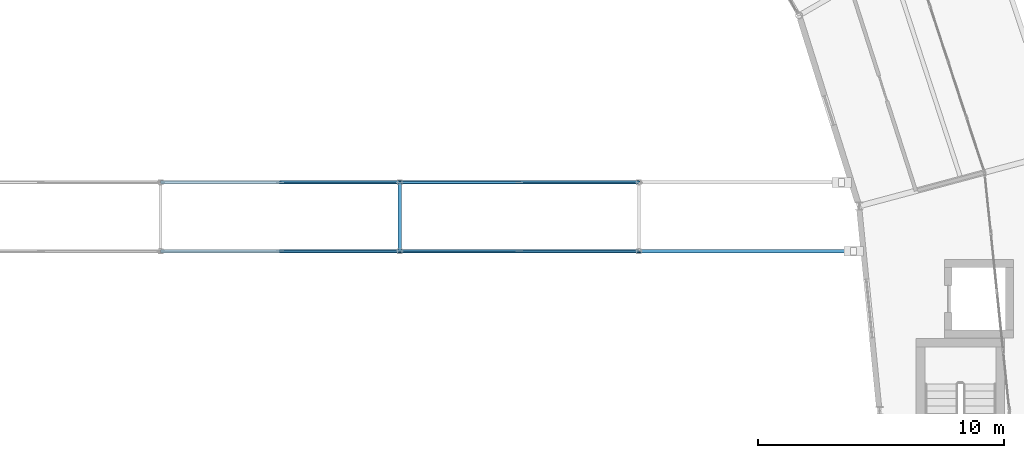
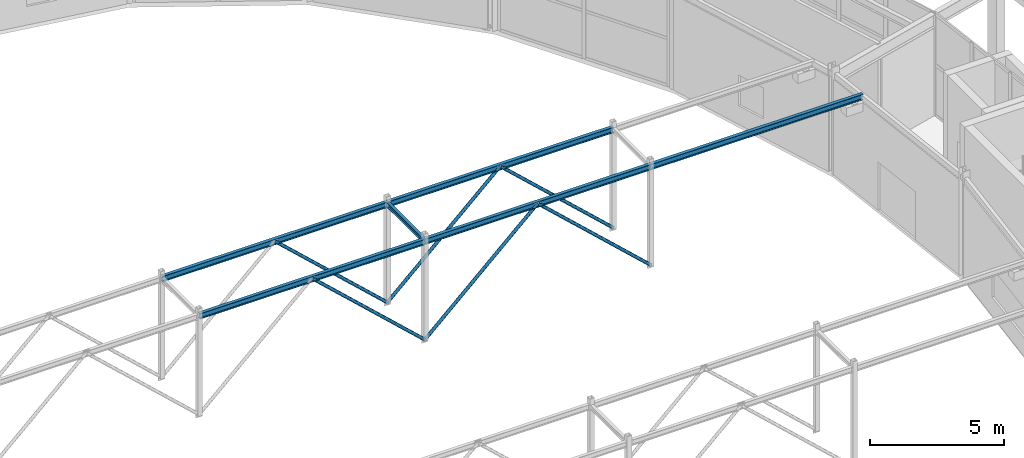
# One storey, part 66 of 144: 6 beams, 6 members.
"""IFC4 building model written with IfcOpenShell, lengths in metres."""

import ifcopenshell
import ifcopenshell.guid

model = None  # the IFC model being written
_history = None  # IfcOwnerHistory: only IFC2X3 demands one
_inside = {}  # id of a spatial element -> (the spatial element, [elements in it])
_under = {}  # id of a project, library or spatial element -> (it, [spatial elements below it])
_declared = {}  # id of a project -> (the project, [libraries it declares])
_typed = {}  # id of a type object -> (the type object, [elements of that type])
_made_of = {}  # id of a material, layer set ... -> (it, [elements and type objects made of it])


def new_model(schema):
    """Start an empty IFC model of exactly this schema.

    Asked for "IFC4X3", IfcOpenShell would pick the latest addendum, in which some entities
    have other attributes; the version numbers below select the first issue.
    IFC2X3 requires an IfcOwnerHistory on every rooted entity: one is made here for all.
    """
    global model, _history
    if schema == "IFC4X3":
        model = ifcopenshell.file(schema_version=(4, 3, 0, 0))
    else:
        model = ifcopenshell.file(schema=schema)
    _inside.clear()
    _under.clear()
    _declared.clear()
    _typed.clear()
    _made_of.clear()
    _history = None
    if model.schema == "IFC2X3":
        org = make("IfcOrganization", Name="unknown")
        user = make(
            "IfcPersonAndOrganization",
            ThePerson=make("IfcPerson", FamilyName="unknown"),
            TheOrganization=org,
        )
        app = make(
            "IfcApplication",
            ApplicationDeveloper=org,
            Version="unknown",
            ApplicationFullName="unknown",
            ApplicationIdentifier="unknown",
        )
        _history = make(
            "IfcOwnerHistory",
            OwningUser=user,
            OwningApplication=app,
            ChangeAction="ADDED",
            CreationDate=0,
        )
    return model


def make(cls, **values):
    """One entity of the class cls with the attributes given. An attribute that is None is left unset."""
    return model.create_entity(
        cls, **{name: value for name, value in values.items() if value is not None}
    )


def rooted(cls, **values):
    """An entity with a GlobalId (a new one), such as an element, a storey or a relation."""
    return make(cls, GlobalId=ifcopenshell.guid.new(), OwnerHistory=_history, **values)


def si_unit(unit_type, name, prefix=None):
    """IfcSIUnit, for example si_unit("LENGTHUNIT", "METRE", prefix="MILLI")."""
    return make("IfcSIUnit", UnitType=unit_type, Prefix=prefix, Name=name)


def assignment(units):
    """IfcUnitAssignment: the units of a project."""
    return None if units is None else make("IfcUnitAssignment", Units=units)


def point(xyz):
    """IfcCartesianPoint."""
    return None if xyz is None else make("IfcCartesianPoint", Coordinates=xyz)


def direction(xyz):
    """IfcDirection."""
    return None if xyz is None else make("IfcDirection", DirectionRatios=xyz)


def frame(location, z_axis=None, x_axis=None):
    """IfcAxis2Placement3D, a coordinate frame: its origin and axes. An axis left out is left unset."""
    return make(
        "IfcAxis2Placement3D",
        Location=point(location),
        Axis=direction(z_axis),
        RefDirection=direction(x_axis),
    )


def frame_2d(location, x_axis=None):
    """IfcAxis2Placement2D, a coordinate frame in the plane: its origin and x axis."""
    return make(
        "IfcAxis2Placement2D", Location=point(location), RefDirection=direction(x_axis)
    )


def origin():
    """The frame at (0, 0, 0) with its axes left unset."""
    return frame((0.0, 0.0, 0.0))


def origin_2d():
    """The frame at (0, 0) in the plane with its x axis left unset."""
    return frame_2d((0.0, 0.0))


def place(relative_to, where):
    """IfcLocalPlacement: puts the frame where relative to a parent placement (None: the world)."""
    return make(
        "IfcLocalPlacement", PlacementRelTo=relative_to, RelativePlacement=where
    )


def context(
    kind, dimensions, precision=None, world=None, true_north=None, identifier=None
):
    """IfcGeometricRepresentationContext, for example the 3D "Model" context."""
    return make(
        "IfcGeometricRepresentationContext",
        ContextIdentifier=identifier,
        ContextType=kind,
        CoordinateSpaceDimension=dimensions,
        Precision=precision,
        WorldCoordinateSystem=world,
        TrueNorth=true_north,
    )


def subcontext(parent, identifier, kind, view, scale=None):
    """IfcGeometricRepresentationSubContext, for example "Body" below "Model"."""
    return make(
        "IfcGeometricRepresentationSubContext",
        ContextIdentifier=identifier,
        ContextType=kind,
        ParentContext=parent,
        TargetScale=scale,
        TargetView=view,
    )


def project(units=None, contexts=None):
    """IfcProject with its units and contexts."""
    return rooted(
        "IfcProject",
        Name="project",
        RepresentationContexts=contexts,
        UnitsInContext=assignment(units),
    )


def spatial(cls, under=None, at=None, **own):
    """A site, building, storey or space (cls), placed at a placement, below another one or the project."""
    s = rooted(cls, ObjectPlacement=at, **own)
    if under is not None:
        _under.setdefault(under.id(), (under, []))[1].append(s)
    return s


def profile(cls, at=None, kind="AREA", **sizes):
    """A parametric profile (cls). Its sizes go by their IFC names, for example OverallWidth=200.0."""
    return make(cls, ProfileType=kind, Position=at, **sizes)


def hollow_circle(**sizes):
    """IfcCircleHollowProfileDef."""
    return profile("IfcCircleHollowProfileDef", **sizes)


def i_section(**sizes):
    """IfcIShapeProfileDef."""
    return profile("IfcIShapeProfileDef", **sizes)


def extrude(swept, where, along, depth):
    """IfcExtrudedAreaSolid: the profile swept, set in the frame where, extruded along a direction by depth."""
    return make(
        "IfcExtrudedAreaSolid",
        SweptArea=swept,
        Position=where,
        ExtrudedDirection=direction(along),
        Depth=depth,
    )


def shape(context_of_items, identifier, shape_type, items):
    """IfcShapeRepresentation: the items that make up one representation, for example the "Body"."""
    return make(
        "IfcShapeRepresentation",
        ContextOfItems=context_of_items,
        RepresentationIdentifier=identifier,
        RepresentationType=shape_type,
        Items=items,
    )


def material(Name=None, Category=None):
    """IfcMaterial."""
    return make("IfcMaterial", Name=Name, Category=Category)


def material_profile(
    of_material, cross_section, Name=None, Category=None, Priority=None
):
    """IfcMaterialProfile: a cross section and its material."""
    return make(
        "IfcMaterialProfile",
        Name=Name,
        Material=of_material,
        Profile=cross_section,
        Priority=Priority,
        Category=Category,
    )


def profile_set(profiles, Name=None, composite=None):
    """IfcMaterialProfileSet."""
    return make(
        "IfcMaterialProfileSet",
        Name=Name,
        MaterialProfiles=profiles,
        CompositeProfile=composite,
    )


def made_of(thing, what):
    """Note that an element or type object is made of a material, layer set ...; save() writes the relation."""
    if what is not None:
        _made_of.setdefault(what.id(), (what, []))[1].append(thing)
    return thing


def type_object(cls, material=None, **own):
    """A type object (cls), such as IfcWallType, which elements share."""
    return made_of(rooted(cls, **own), material)


def element(
    cls,
    number,
    at=None,
    inside=None,
    cuts=None,
    type_object=None,
    material=None,
    context=None,
    identifier="Body",
    shape_type=None,
    held_by="IfcProductDefinitionShape",
    body=None,
    shapes=None,
    **own,
):
    """One element of the class cls, such as IfcWall. Its Tag is "e" and its number.

    at: its placement. inside: the storey or other place that contains it. cuts: it is an
    opening in that element (IfcRelVoidsElement). A single representation is given by context,
    identifier, shape_type and body (its items); several are given by shapes. held_by: the class
    of the entity that holds the representations. save() writes the other relations.
    """
    e = rooted(cls, Tag="e%d" % number, ObjectPlacement=at, **own)
    if body is not None:
        shapes = [shape(context, identifier, shape_type, body)]
    if shapes is not None:
        e.Representation = make(held_by, Representations=shapes)
    if inside is not None:
        _inside.setdefault(inside.id(), (inside, []))[1].append(e)
    if cuts is not None:
        rooted(
            "IfcRelVoidsElement", RelatingBuildingElement=cuts, RelatedOpeningElement=e
        )
    if type_object is not None:
        _typed.setdefault(type_object.id(), (type_object, []))[1].append(e)
    return made_of(e, material)


def aggregate(whole, parts):
    """IfcRelAggregates: a whole, such as a stair, and the parts it consists of."""
    return rooted("IfcRelAggregates", RelatingObject=whole, RelatedObjects=parts)


def save(model, path):
    """Write the relations noted so far, then the file.

    IfcRelAggregates (storeys below a building ...), IfcRelContainedInSpatialStructure (elements
    in a storey), IfcRelDefinesByType, IfcRelAssociatesMaterial and IfcRelDeclares: one each for
    every whole, place, type object, material and project.
    """
    for whole, parts in _under.values():
        aggregate(whole, parts)
    for where, things in _inside.values():
        rooted(
            "IfcRelContainedInSpatialStructure",
            RelatedElements=things,
            RelatingStructure=where,
        )
    for kind, things in _typed.values():
        rooted("IfcRelDefinesByType", RelatedObjects=things, RelatingType=kind)
    for what, things in _made_of.values():
        rooted("IfcRelAssociatesMaterial", RelatedObjects=things, RelatingMaterial=what)
    for by, libraries in _declared.values():
        rooted("IfcRelDeclares", RelatingContext=by, RelatedDefinitions=libraries)
    model.write(path)


model = new_model("IFC4")

# Units and contexts
model_context = context("Model", 3, precision=1e-05, world=origin(), true_north=direction((0.0, 1.0)))
body_context = subcontext(model_context, "Body", "Model", "MODEL_VIEW")
ifc_project = project(units=[si_unit("LENGTHUNIT", "METRE"), si_unit("AREAUNIT", "SQUARE_METRE"), si_unit("VOLUMEUNIT", "CUBIC_METRE"), si_unit("PLANEANGLEUNIT", "RADIAN"), si_unit("MASSUNIT", "GRAM", prefix="KILO")], contexts=[model_context])

# Site, building, storey
site_placement = place(None, origin())
site = spatial("IfcSite", under=ifc_project, at=site_placement, CompositionType="ELEMENT")
building_placement = place(site_placement, origin())
building = spatial("IfcBuilding", under=site, at=building_placement, Name="Karori Crest Natural Sciences Institute", CompositionType="ELEMENT")
storey_placement = place(building_placement, origin())
storey = spatial("IfcBuildingStorey", under=building, at=storey_placement, Name="L00", CompositionType="ELEMENT", Elevation=0.0)

# Beams
ifc_material_1 = material(Name="Structural steel AS/NZS 3679.1 Grade 350", Category="steel")
ifc_material_profile_1 = material_profile(ifc_material_1, i_section(OverallWidth=0.14599609375, OverallDepth=0.256103515625, WebThickness=0.00634765625, FlangeThickness=0.010986328125, FilletRadius=0.009033203125, at=origin_2d()), Name="250UB37.3")
ifc_profile_set_1 = profile_set([ifc_material_profile_1], Name="Structural steel AS/NZS 3679.1 Grade 350")
beam_type_1 = type_object("IfcBeamType", Name="BT-11", PredefinedType="BEAM", material=ifc_profile_set_1)
for number, where, z_axis, x_axis, name in (
    (1, (61.530029296875, 56.39990234375, 4.511962890625), (1.0, 0.0, 0.0), (0.0, 1.0, 0.0), "Beam B-0743"),
    (2, (71.27001953125, 56.39990234375, 4.511962890625), (1.0, 0.0, 0.0), (0.0, 1.0, 0.0), "Beam B-0744"),
    (3, (61.530029296875, 59.199951171875, 4.511962890625), (1.0, 0.0, 0.0), (0.0, 1.0, 0.0), "Beam B-0746"),
    (4, (71.27001953125, 59.199951171875, 4.511962890625), (1.0, 0.0, 0.0), (0.0, 1.0, 0.0), "Beam B-0747"),
):
    element("IfcBeam", number, at=place(storey_placement, frame(where, z_axis=z_axis, x_axis=x_axis)), inside=storey, type_object=beam_type_1, Name=name, PredefinedType="BEAM", context=body_context, shape_type="SweptSolid", body=[
        extrude(i_section(OverallWidth=0.14599609375, OverallDepth=0.256103515625, WebThickness=0.00634765625, FlangeThickness=0.010986328125, FilletRadius=0.009033203125, at=origin_2d()), origin(), (0.0, 0.0, 1.0), 9.739990234375),
    ])
beam_1_placement = place(storey_placement, frame((81.010009765625, 56.39990234375, 4.511962890625), z_axis=(1.0, 0.0, 0.0), x_axis=(0.0, 1.0, 0.0)))
element("IfcBeam", 5, at=beam_1_placement, inside=storey, type_object=beam_type_1, Name="Beam B-2914", PredefinedType="BEAM", context=body_context, shape_type="SweptSolid", body=[
    extrude(i_section(OverallWidth=0.14599609375, OverallDepth=0.256103515625, WebThickness=0.00634765625, FlangeThickness=0.010986328125, FilletRadius=0.009033203125, at=origin_2d()), origin(), (0.0, 0.0, 1.0), 9.1416015625),
])
ifc_material_profile_2 = material_profile(ifc_material_1, i_section(OverallWidth=0.134033203125, OverallDepth=0.20703125, WebThickness=0.00634765625, FlangeThickness=0.009521484375, FilletRadius=0.009033203125, at=origin_2d()), Name="200UB29.8")
ifc_profile_set_2 = profile_set([ifc_material_profile_2], Name="Structural steel AS/NZS 3679.1 Grade 350")
beam_type_2 = type_object("IfcBeamType", Name="BT-13", PredefinedType="BEAM", material=ifc_profile_set_2)
beam_2_placement = place(storey_placement, frame((71.27001953125, 56.39990234375, 4.52001953125), z_axis=(0.0, 1.0, 0.0), x_axis=(-1.0, 0.0, 0.0)))
element("IfcBeam", 6, at=beam_2_placement, inside=storey, type_object=beam_type_2, Name="Beam B-0750", PredefinedType="BEAM", context=body_context, shape_type="SweptSolid", body=[
    extrude(i_section(OverallWidth=0.134033203125, OverallDepth=0.20703125, WebThickness=0.00634765625, FlangeThickness=0.009521484375, FilletRadius=0.009033203125, at=origin_2d()), origin(), (0.0, 0.0, 1.0), 2.800048828125),
])

# Members
ifc_material_2 = material(Name="Hollow structural steel AS/NZS 1163 Grade C350", Category="steel")
ifc_material_profile_3 = material_profile(ifc_material_2, hollow_circle(Radius=0.06982421875, WallThickness=0.00634765625, at=origin_2d()), Name="CHS139.7x6.4")
ifc_profile_set_3 = profile_set([ifc_material_profile_3], Name="Hollow structural steel AS/NZS 1163 Grade C350")
member_type = type_object("IfcMemberType", Name="MT-18", PredefinedType="STRUT", material=ifc_profile_set_3)
for number, where, z_axis, x_axis, name in (
    (7, (71.27001953125, 56.39990234375, 0.010009765625), (-0.7337124545, 0.0, 0.679460104871), (0.0, -1.0, 0.0), "Member M-0224"),
    (8, (71.27001953125, 59.199951171875, 0.010009765625), (-0.7337124545, 0.0, 0.679460104871), (0.0, -1.0, 0.0), "Member M-0226"),
):
    element("IfcMember", number, at=place(storey_placement, frame(where, z_axis=z_axis, x_axis=x_axis)), inside=storey, type_object=member_type, Name=name, PredefinedType="STRUT", context=body_context, shape_type="SweptSolid", body=[
        extrude(hollow_circle(Radius=0.06982421875, WallThickness=0.00634765625, at=origin_2d()), origin(), (0.0, 0.0, 1.0), 6.6376953125),
    ])
member_1_placement = place(storey_placement, frame((71.27001953125, 56.39990234375, 0.010009765625), z_axis=(0.733695473157, 0.0, 0.679478441652), x_axis=(0.0, 1.0, 0.0)))
element("IfcMember", 9, at=member_1_placement, inside=storey, type_object=member_type, Name="Member M-0227", PredefinedType="STRUT", context=body_context, shape_type="SweptSolid", body=[
    extrude(hollow_circle(Radius=0.06982421875, WallThickness=0.00634765625, at=origin_2d()), origin(), (0.0, 0.0, 1.0), 6.637451171875),
])
member_2_placement = place(storey_placement, frame((81.010009765625, 56.39990234375, 0.010009765625), z_axis=(-0.7337124545, 0.0, 0.679460104871), x_axis=(0.0, -1.0, 0.0)))
element("IfcMember", 10, at=member_2_placement, inside=storey, type_object=member_type, Name="Member M-0228", PredefinedType="STRUT", context=body_context, shape_type="SweptSolid", body=[
    extrude(hollow_circle(Radius=0.06982421875, WallThickness=0.00634765625, at=origin_2d()), origin(), (0.0, 0.0, 1.0), 6.6376953125),
])
member_3_placement = place(storey_placement, frame((71.27001953125, 59.199951171875, 0.010009765625), z_axis=(0.733695473157, 0.0, 0.679478441652), x_axis=(0.0, 1.0, 0.0)))
element("IfcMember", 11, at=member_3_placement, inside=storey, type_object=member_type, Name="Member M-0229", PredefinedType="STRUT", context=body_context, shape_type="SweptSolid", body=[
    extrude(hollow_circle(Radius=0.06982421875, WallThickness=0.00634765625, at=origin_2d()), origin(), (0.0, 0.0, 1.0), 6.637451171875),
])
member_4_placement = place(storey_placement, frame((81.010009765625, 59.199951171875, 0.010009765625), z_axis=(-0.7337124545, 0.0, 0.679460104871), x_axis=(0.0, -1.0, 0.0)))
element("IfcMember", 12, at=member_4_placement, inside=storey, type_object=member_type, Name="Member M-0230", PredefinedType="STRUT", context=body_context, shape_type="SweptSolid", body=[
    extrude(hollow_circle(Radius=0.06982421875, WallThickness=0.00634765625, at=origin_2d()), origin(), (0.0, 0.0, 1.0), 6.6376953125),
])

save(model, "model.ifc")
